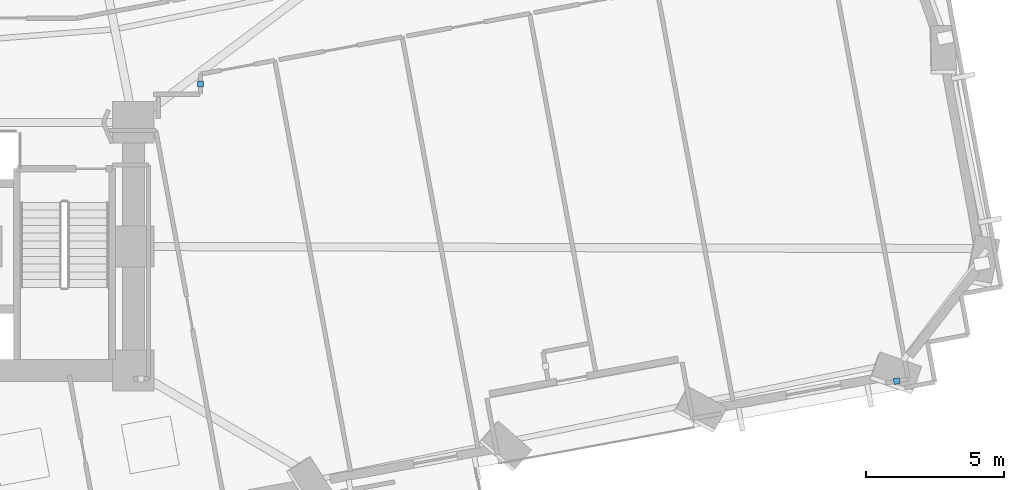
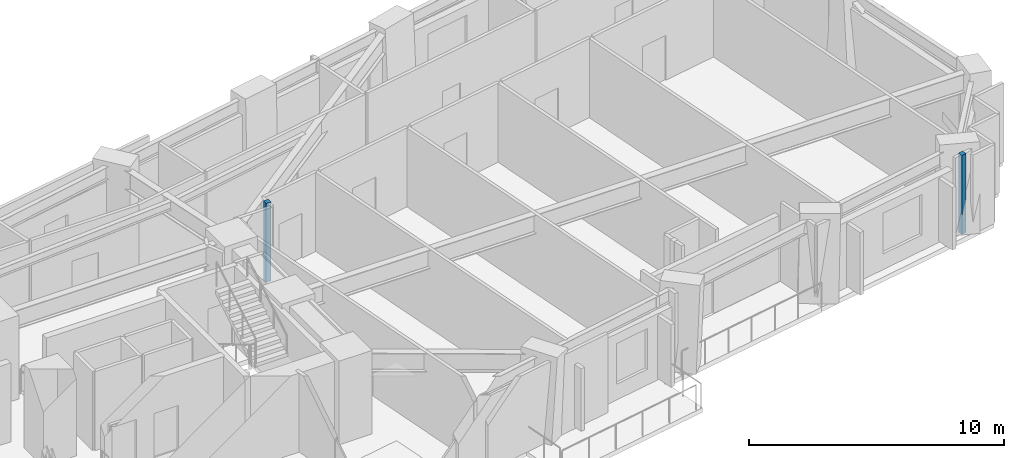
# One storey, part 4 of 16: 2 plates.
"""IFC4 building model written with IfcOpenShell, lengths in metres."""

from ifc_helpers import new_model, si_unit, direction, frame, origin, origin_2d, place, context, subcontext, project, spatial, rectangle, extrude, material, layer, layer_set, type_object, element, save


model = new_model("IFC4")

# Units and contexts
model_context = context("Model", 3, precision=1e-05, world=origin(), true_north=direction((0.0, 1.0)))
body_context = subcontext(model_context, "Body", "Model", "MODEL_VIEW")
ifc_project = project(units=[si_unit("LENGTHUNIT", "METRE"), si_unit("AREAUNIT", "SQUARE_METRE"), si_unit("VOLUMEUNIT", "CUBIC_METRE"), si_unit("PLANEANGLEUNIT", "RADIAN"), si_unit("MASSUNIT", "GRAM", prefix="KILO")], contexts=[model_context])

# Site, building, storey
site_placement = place(None, origin())
site = spatial("IfcSite", under=ifc_project, at=site_placement, CompositionType="ELEMENT")
building_placement = place(site_placement, origin())
building = spatial("IfcBuilding", under=site, at=building_placement, Name="Gaonmaruhae Medical Tower", CompositionType="ELEMENT")
storey_placement = place(building_placement, frame((0.0, 0.0, 67.0)))
storey = spatial("IfcBuildingStorey", under=building, at=storey_placement, Name="L15", CompositionType="ELEMENT", Elevation=67.0)

# Plates
ifc_material = material(Name="Anodised aluminium 6063-T6", Category="aluminium")
ifc_layer = layer(ifc_material, 0.011962890625)
ifc_layer_set = layer_set([ifc_layer], Name="Anodised aluminium 6063-T6")
plate_type = type_object("IfcPlateType", Name="PP-01 Interior Partition Corner Stiffener Plate", PredefinedType="SHEET", material=ifc_layer_set)
for number, where, z_axis, x_axis, name in (
    (1, (38.030029296875, 18.199951171875, 0.0), (0.0, 0.0, 1.0), (0.0, 1.0, 0.0), "L15 Partition Corner Stiffener Plate PLT-L15-JGP-PW024"),
    (2, (63.284912109375, 7.416015625, 0.0), (0.0, 0.0, 1.0), (-0.983454691559, -0.181154270308, 0.0), "L15 Partition Corner Stiffener Plate PLT-L15-JGP-PW042"),
):
    element("IfcPlate", number, at=place(storey_placement, frame(where, z_axis=z_axis, x_axis=x_axis)), inside=storey, type_object=plate_type, Name=name, PredefinedType="SHEET", context=body_context, shape_type="SweptSolid", body=[
        extrude(rectangle(XDim=0.219970703125, YDim=0.219970703125, at=origin_2d()), origin(), (0.0, 0.0, 1.0), 3.780029296875),
    ])

save(model, "model.ifc")
